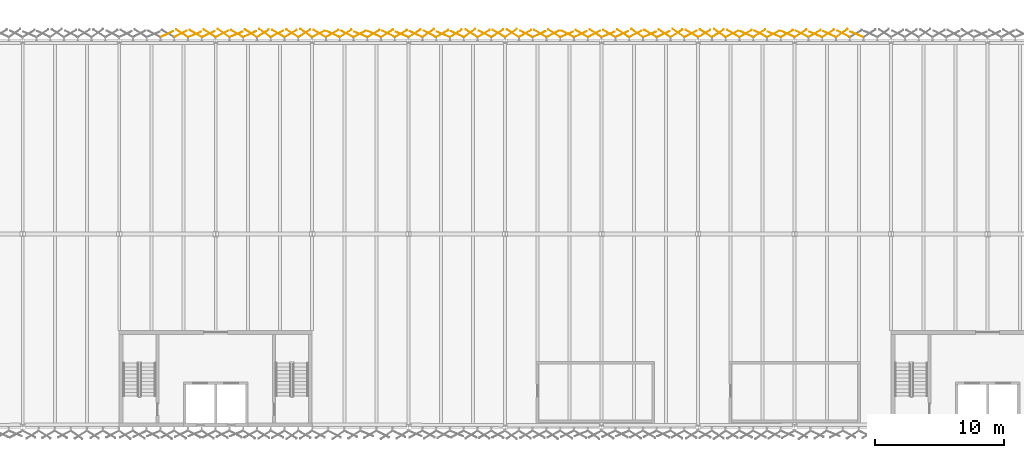
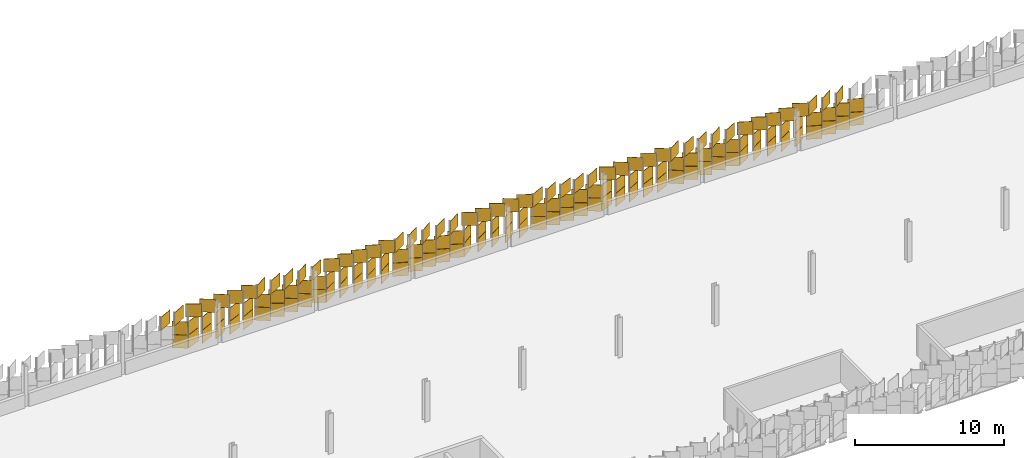
# One storey, part 196 of 198: 150 coverings.
"""IFC4 building model written with IfcOpenShell, lengths in metres."""

from ifc_helpers import new_model, si_unit, direction, frame, origin, origin_2d, place, context, subcontext, project, spatial, rectangle, extrude, material, layer, layer_set, type_object, element, save


model = new_model("IFC4")

# Units and contexts
model_context = context("Model", 3, precision=1e-05, world=origin(), true_north=direction((0.0, 1.0)))
body_context = subcontext(model_context, "Body", "Model", "MODEL_VIEW")
ifc_project = project(units=[si_unit("LENGTHUNIT", "METRE"), si_unit("AREAUNIT", "SQUARE_METRE"), si_unit("VOLUMEUNIT", "CUBIC_METRE"), si_unit("PLANEANGLEUNIT", "RADIAN"), si_unit("MASSUNIT", "GRAM", prefix="KILO")], contexts=[model_context])

# Site, building, storey
site_placement = place(None, origin())
site = spatial("IfcSite", under=ifc_project, at=site_placement, CompositionType="ELEMENT")
building_placement = place(site_placement, origin())
building = spatial("IfcBuilding", under=site, at=building_placement, Name="Parallax Yard Mobility Hub", CompositionType="ELEMENT")
storey_placement = place(building_placement, frame((0.0, 0.0, 6.60009765625)))
storey = spatial("IfcBuildingStorey", under=building, at=storey_placement, Name="L02", CompositionType="ELEMENT", Elevation=6.60009765625)

# Coverings
ifc_material_1 = material(Name="Aluminium panel, champagne finish", Category="aluminium")
ifc_layer_1 = layer(ifc_material_1, 0.030029296875)
ifc_layer_set_1 = layer_set([ifc_layer_1], Name="Skin panel 22.5 degree turn, champagne finish")
covering_type_1 = type_object("IfcCoveringType", Name="Skin panel 22.5 degree turn, champagne finish", PredefinedType="CLADDING", material=ifc_layer_set_1)
for number, where, z_axis, x_axis, name in (
    (1, (124.83935546875, 143.012939453125, 1.119873046875), (0.0, 0.0, 1.0), (-0.923879532511, 0.382683432365, 0.0), "Skin panel 22.5 bay 57.3 row 2 level L02"),
    (2, (121.624755859375, 143.012939453125, 1.119873046875), (0.0, 0.0, 1.0), (-0.923879532511, 0.382683432365, 0.0), "Skin panel 22.5 bay 57.6 row 2 level L02"),
    (3, (118.41015625, 143.012939453125, 2.219970703125), (0.0, 0.0, 1.0), (-0.923879532511, 0.382683432365, 0.0), "Skin panel 22.5 bay 58.2 row 3 level L02"),
    (4, (108.722412109375, 143.012939453125, 1.119873046875), (0.0, 0.0, 1.0), (0.923879532511, 0.382683432365, 0.0), "Skin panel 22.5 bay 59.4 row 2 level L02"),
    (5, (105.5078125, 143.012939453125, 1.119873046875), (0.0, 0.0, 1.0), (0.923879532511, 0.382683432365, 0.0), "Skin panel 22.5 bay 59.7 row 2 level L02"),
    (6, (102.293212890625, 143.012939453125, 2.219970703125), (0.0, 0.0, 1.0), (0.923879532511, 0.382683432365, 0.0), "Skin panel 22.5 bay 60.3 row 3 level L02"),
    (7, (92.69287109375, 143.012939453125, 1.119873046875), (0.0, 0.0, 1.0), (-0.923879532511, 0.382683432365, 0.0), "Skin panel 22.5 bay 61.5 row 2 level L02"),
    (8, (89.47802734375, 143.012939453125, 1.119873046875), (0.0, 0.0, 1.0), (-0.923879532511, 0.382683432365, 0.0), "Skin panel 22.5 bay 62.1 row 2 level L02"),
    (9, (86.263427734375, 143.012939453125, 2.219970703125), (0.0, 0.0, 1.0), (-0.923879532511, 0.382683432365, 0.0), "Skin panel 22.5 bay 62.4 row 3 level L02"),
    (10, (76.575927734375, 143.012939453125, 1.119873046875), (0.0, 0.0, 1.0), (0.923879532511, 0.382683432365, 0.0), "Skin panel 22.5 bay 63.6 row 2 level L02"),
    (11, (73.361083984375, 143.012939453125, 1.119873046875), (0.0, 0.0, 1.0), (0.923879532511, 0.382683432365, 0.0), "Skin panel 22.5 bay 64.2 row 2 level L02"),
):
    element("IfcCovering", number, at=place(storey_placement, frame(where, z_axis=z_axis, x_axis=x_axis)), inside=storey, type_object=covering_type_1, Name=name, ObjectType="SCREEN", PredefinedType="CLADDING", context=body_context, shape_type="SweptSolid", body=[
        extrude(rectangle(XDim=1.080078125, YDim=0.030029296875, at=origin_2d()), origin(), (0.0, 0.0, 1.0), 1.080078125),
    ])
ifc_material_2 = material(Name="Aluminium panel, light oak finish", Category="aluminium")
ifc_layer_2 = layer(ifc_material_2, 0.030029296875)
ifc_layer_set_2 = layer_set([ifc_layer_2], Name="Skin panel 22.5 degree turn, oak finish")
covering_type_2 = type_object("IfcCoveringType", Name="Skin panel 22.5 degree turn, oak finish", PredefinedType="CLADDING", material=ifc_layer_set_2)
for number, where, z_axis, x_axis, name in (
    (12, (124.83935546875, 143.012939453125, 0.019775390625), (0.0, 0.0, 1.0), (-0.923879532511, 0.382683432365, 0.0), "Skin panel 22.5 bay 57.3 row 1 level L02"),
    (13, (121.624755859375, 143.012939453125, 0.019775390625), (0.0, 0.0, 1.0), (-0.923879532511, 0.382683432365, 0.0), "Skin panel 22.5 bay 57.6 row 1 level L02"),
    (14, (108.722412109375, 143.012939453125, 0.019775390625), (0.0, 0.0, 1.0), (0.923879532511, 0.382683432365, 0.0), "Skin panel 22.5 bay 59.4 row 1 level L02"),
    (15, (105.5078125, 143.012939453125, 0.019775390625), (0.0, 0.0, 1.0), (0.923879532511, 0.382683432365, 0.0), "Skin panel 22.5 bay 59.7 row 1 level L02"),
    (16, (92.69287109375, 143.012939453125, 0.019775390625), (0.0, 0.0, 1.0), (-0.923879532511, 0.382683432365, 0.0), "Skin panel 22.5 bay 61.5 row 1 level L02"),
    (17, (89.47802734375, 143.012939453125, 0.019775390625), (0.0, 0.0, 1.0), (-0.923879532511, 0.382683432365, 0.0), "Skin panel 22.5 bay 62.1 row 1 level L02"),
    (18, (76.575927734375, 143.012939453125, 0.019775390625), (0.0, 0.0, 1.0), (0.923879532511, 0.382683432365, 0.0), "Skin panel 22.5 bay 63.6 row 1 level L02"),
    (19, (73.361083984375, 143.012939453125, 0.019775390625), (0.0, 0.0, 1.0), (0.923879532511, 0.382683432365, 0.0), "Skin panel 22.5 bay 64.2 row 1 level L02"),
):
    element("IfcCovering", number, at=place(storey_placement, frame(where, z_axis=z_axis, x_axis=x_axis)), inside=storey, type_object=covering_type_2, Name=name, ObjectType="SCREEN", PredefinedType="CLADDING", context=body_context, shape_type="SweptSolid", body=[
        extrude(rectangle(XDim=1.080078125, YDim=0.030029296875, at=origin_2d()), origin(), (0.0, 0.0, 1.0), 1.080078125),
    ])
ifc_layer_3 = layer(ifc_material_1, 0.030029296875)
ifc_layer_set_3 = layer_set([ifc_layer_3], Name="Skin panel 25 degree turn, champagne finish")
covering_type_3 = type_object("IfcCoveringType", Name="Skin panel 25 degree turn, champagne finish", PredefinedType="CLADDING", material=ifc_layer_set_3)
for number, where, z_axis, x_axis, name in (
    (20, (122.7060546875, 143.03515625, 1.119873046875), (0.0, 0.0, 1.0), (-0.906307787037, 0.422618261741, 0.0), "Skin panel 25 bay 57.5 row 2 level L02"),
    (21, (119.491455078125, 143.03515625, 2.219970703125), (0.0, 0.0, 1.0), (-0.906307787037, 0.422618261741, 0.0), "Skin panel 25 bay 58.1 row 3 level L02"),
    (22, (116.27685546875, 143.03515625, 2.219970703125), (0.0, 0.0, 1.0), (-0.906307787037, 0.422618261741, 0.0), "Skin panel 25 bay 58.4 row 3 level L02"),
    (23, (109.7841796875, 143.03515625, 1.119873046875), (0.0, 0.0, 1.0), (0.906307787037, 0.422618261741, 0.0), "Skin panel 25 bay 59.3 row 2 level L02"),
    (24, (106.569580078125, 143.03515625, 1.119873046875), (0.0, 0.0, 1.0), (0.906307787037, 0.422618261741, 0.0), "Skin panel 25 bay 59.6 row 2 level L02"),
    (25, (103.35498046875, 143.03515625, 2.219970703125), (0.0, 0.0, 1.0), (0.906307787037, 0.422618261741, 0.0), "Skin panel 25 bay 60.2 row 3 level L02"),
    (26, (100.140380859375, 143.03515625, 2.219970703125), (0.0, 0.0, 1.0), (0.906307787037, 0.422618261741, 0.0), "Skin panel 25 bay 60.5 row 3 level L02"),
    (27, (93.774169921875, 143.03515625, 1.119873046875), (0.0, 0.0, 1.0), (-0.906307787037, 0.422618261741, 0.0), "Skin panel 25 bay 61.4 row 2 level L02"),
    (28, (90.559326171875, 143.03515625, 1.119873046875), (0.0, 0.0, 1.0), (-0.906307787037, 0.422618261741, 0.0), "Skin panel 25 bay 61.7 row 2 level L02"),
    (29, (87.3447265625, 143.03515625, 2.219970703125), (0.0, 0.0, 1.0), (-0.906307787037, 0.422618261741, 0.0), "Skin panel 25 bay 62.3 row 3 level L02"),
    (30, (84.130126953125, 143.03515625, 2.219970703125), (0.0, 0.0, 1.0), (-0.906307787037, 0.422618261741, 0.0), "Skin panel 25 bay 62.6 row 3 level L02"),
    (31, (77.6376953125, 143.03515625, 1.119873046875), (0.0, 0.0, 1.0), (0.906307787037, 0.422618261741, 0.0), "Skin panel 25 bay 63.5 row 2 level L02"),
    (32, (74.423095703125, 143.03515625, 1.119873046875), (0.0, 0.0, 1.0), (0.906307787037, 0.422618261741, 0.0), "Skin panel 25 bay 64.1 row 2 level L02"),
    (33, (71.208251953125, 143.03515625, 2.219970703125), (0.0, 0.0, 1.0), (0.906307787037, 0.422618261741, 0.0), "Skin panel 25 bay 64.4 row 3 level L02"),
):
    element("IfcCovering", number, at=place(storey_placement, frame(where, z_axis=z_axis, x_axis=x_axis)), inside=storey, type_object=covering_type_3, Name=name, ObjectType="SCREEN", PredefinedType="CLADDING", context=body_context, shape_type="SweptSolid", body=[
        extrude(rectangle(XDim=1.080078125, YDim=0.030029296875, at=origin_2d()), origin(), (0.0, 0.0, 1.0), 1.080078125),
    ])
ifc_layer_4 = layer(ifc_material_2, 0.030029296875)
ifc_layer_set_4 = layer_set([ifc_layer_4], Name="Skin panel 25 degree turn, oak finish")
covering_type_4 = type_object("IfcCoveringType", Name="Skin panel 25 degree turn, oak finish", PredefinedType="CLADDING", material=ifc_layer_set_4)
for number, where, z_axis, x_axis, name in (
    (34, (122.7060546875, 143.03515625, 0.019775390625), (0.0, 0.0, 1.0), (-0.906307787037, 0.422618261741, 0.0), "Skin panel 25 bay 57.5 row 1 level L02"),
    (35, (109.7841796875, 143.03515625, 0.019775390625), (0.0, 0.0, 1.0), (0.906307787037, 0.422618261741, 0.0), "Skin panel 25 bay 59.3 row 1 level L02"),
    (36, (106.569580078125, 143.03515625, 0.019775390625), (0.0, 0.0, 1.0), (0.906307787037, 0.422618261741, 0.0), "Skin panel 25 bay 59.6 row 1 level L02"),
    (37, (93.774169921875, 143.03515625, 0.019775390625), (0.0, 0.0, 1.0), (-0.906307787037, 0.422618261741, 0.0), "Skin panel 25 bay 61.4 row 1 level L02"),
    (38, (90.559326171875, 143.03515625, 0.019775390625), (0.0, 0.0, 1.0), (-0.906307787037, 0.422618261741, 0.0), "Skin panel 25 bay 61.7 row 1 level L02"),
    (39, (77.6376953125, 143.03515625, 0.019775390625), (0.0, 0.0, 1.0), (0.906307787037, 0.422618261741, 0.0), "Skin panel 25 bay 63.5 row 1 level L02"),
    (40, (74.423095703125, 143.03515625, 0.019775390625), (0.0, 0.0, 1.0), (0.906307787037, 0.422618261741, 0.0), "Skin panel 25 bay 64.1 row 1 level L02"),
):
    element("IfcCovering", number, at=place(storey_placement, frame(where, z_axis=z_axis, x_axis=x_axis)), inside=storey, type_object=covering_type_4, Name=name, ObjectType="SCREEN", PredefinedType="CLADDING", context=body_context, shape_type="SweptSolid", body=[
        extrude(rectangle(XDim=1.080078125, YDim=0.030029296875, at=origin_2d()), origin(), (0.0, 0.0, 1.0), 1.080078125),
    ])
ifc_layer_5 = layer(ifc_material_1, 0.030029296875)
ifc_layer_set_5 = layer_set([ifc_layer_5], Name="Skin panel 27.5 degree turn, champagne finish")
covering_type_5 = type_object("IfcCoveringType", Name="Skin panel 27.5 degree turn, champagne finish", PredefinedType="CLADDING", material=ifc_layer_set_5)
for number, where, z_axis, x_axis, name in (
    (41, (123.788330078125, 143.056884765625, 1.119873046875), (0.0, 0.0, 1.0), (-0.887010833178, 0.461748613235, 0.0), "Skin panel 27.5 bay 57.4 row 2 level L02"),
    (42, (120.57373046875, 143.056884765625, 2.219970703125), (0.0, 0.0, 1.0), (-0.887010833178, 0.461748613235, 0.0), "Skin panel 27.5 bay 57.7 row 3 level L02"),
    (43, (118.345947265625, 143.056884765625, 1.119873046875), (0.0, 0.0, 1.0), (0.887010833178, 0.461748613235, 0.0), "Skin panel 27.5 bay 58.2 row 2 level L02"),
    (44, (117.359130859375, 143.056884765625, 2.219970703125), (0.0, 0.0, 1.0), (-0.887010833178, 0.461748613235, 0.0), "Skin panel 27.5 bay 58.3 row 3 level L02"),
    (45, (115.13134765625, 143.056884765625, 2.219970703125), (0.0, 0.0, 1.0), (0.887010833178, 0.461748613235, 0.0), "Skin panel 27.5 bay 58.5 row 3 level L02"),
    (46, (111.916748046875, 143.056884765625, 2.219970703125), (0.0, 0.0, 1.0), (0.887010833178, 0.461748613235, 0.0), "Skin panel 27.5 bay 59.1 row 3 level L02"),
    (47, (107.630615234375, 143.056884765625, 1.119873046875), (0.0, 0.0, 1.0), (0.887010833178, 0.461748613235, 0.0), "Skin panel 27.5 bay 59.5 row 2 level L02"),
    (48, (104.415771484375, 143.056884765625, 2.219970703125), (0.0, 0.0, 1.0), (0.887010833178, 0.461748613235, 0.0), "Skin panel 27.5 bay 60.1 row 3 level L02"),
    (49, (102.357421875, 143.056884765625, 1.119873046875), (0.0, 0.0, 1.0), (-0.887010833178, 0.461748613235, 0.0), "Skin panel 27.5 bay 60.3 row 2 level L02"),
    (50, (101.201171875, 143.056884765625, 2.219970703125), (0.0, 0.0, 1.0), (0.887010833178, 0.461748613235, 0.0), "Skin panel 27.5 bay 60.4 row 3 level L02"),
    (51, (99.142578125, 143.056884765625, 2.219970703125), (0.0, 0.0, 1.0), (-0.887010833178, 0.461748613235, 0.0), "Skin panel 27.5 bay 60.6 row 3 level L02"),
    (52, (95.927978515625, 143.056884765625, 2.219970703125), (0.0, 0.0, 1.0), (-0.887010833178, 0.461748613235, 0.0), "Skin panel 27.5 bay 61.2 row 3 level L02"),
    (53, (91.6416015625, 143.056884765625, 1.119873046875), (0.0, 0.0, 1.0), (-0.887010833178, 0.461748613235, 0.0), "Skin panel 27.5 bay 61.6 row 2 level L02"),
    (54, (88.427001953125, 143.056884765625, 2.219970703125), (0.0, 0.0, 1.0), (-0.887010833178, 0.461748613235, 0.0), "Skin panel 27.5 bay 62.2 row 3 level L02"),
    (55, (86.199462890625, 143.056884765625, 1.119873046875), (0.0, 0.0, 1.0), (0.887010833178, 0.461748613235, 0.0), "Skin panel 27.5 bay 62.4 row 2 level L02"),
    (56, (85.21240234375, 143.056884765625, 2.219970703125), (0.0, 0.0, 1.0), (-0.887010833178, 0.461748613235, 0.0), "Skin panel 27.5 bay 62.5 row 3 level L02"),
    (57, (82.984619140625, 143.056884765625, 2.219970703125), (0.0, 0.0, 1.0), (0.887010833178, 0.461748613235, 0.0), "Skin panel 27.5 bay 62.7 row 3 level L02"),
    (58, (79.77001953125, 143.056884765625, 2.219970703125), (0.0, 0.0, 1.0), (0.887010833178, 0.461748613235, 0.0), "Skin panel 27.5 bay 63.3 row 3 level L02"),
    (59, (75.48388671875, 143.056884765625, 1.119873046875), (0.0, 0.0, 1.0), (0.887010833178, 0.461748613235, 0.0), "Skin panel 27.5 bay 63.7 row 2 level L02"),
    (60, (72.26904296875, 143.056884765625, 2.219970703125), (0.0, 0.0, 1.0), (0.887010833178, 0.461748613235, 0.0), "Skin panel 27.5 bay 64.3 row 3 level L02"),
):
    element("IfcCovering", number, at=place(storey_placement, frame(where, z_axis=z_axis, x_axis=x_axis)), inside=storey, type_object=covering_type_5, Name=name, ObjectType="SCREEN", PredefinedType="CLADDING", context=body_context, shape_type="SweptSolid", body=[
        extrude(rectangle(XDim=1.080078125, YDim=0.030029296875, at=origin_2d()), origin(), (0.0, 0.0, 1.0), 1.080078125),
    ])
ifc_layer_6 = layer(ifc_material_2, 0.030029296875)
ifc_layer_set_6 = layer_set([ifc_layer_6], Name="Skin panel 27.5 degree turn, oak finish")
covering_type_6 = type_object("IfcCoveringType", Name="Skin panel 27.5 degree turn, oak finish", PredefinedType="CLADDING", material=ifc_layer_set_6)
for number, where, z_axis, x_axis, name in (
    (61, (123.788330078125, 143.056884765625, 0.019775390625), (0.0, 0.0, 1.0), (-0.887010833178, 0.461748613235, 0.0), "Skin panel 27.5 bay 57.4 row 1 level L02"),
    (62, (118.345947265625, 143.056884765625, 0.019775390625), (0.0, 0.0, 1.0), (0.887010833178, 0.461748613235, 0.0), "Skin panel 27.5 bay 58.2 row 1 level L02"),
    (63, (107.630615234375, 143.056884765625, 0.019775390625), (0.0, 0.0, 1.0), (0.887010833178, 0.461748613235, 0.0), "Skin panel 27.5 bay 59.5 row 1 level L02"),
    (64, (102.357421875, 143.056884765625, 0.019775390625), (0.0, 0.0, 1.0), (-0.887010833178, 0.461748613235, 0.0), "Skin panel 27.5 bay 60.3 row 1 level L02"),
    (65, (91.6416015625, 143.056884765625, 0.019775390625), (0.0, 0.0, 1.0), (-0.887010833178, 0.461748613235, 0.0), "Skin panel 27.5 bay 61.6 row 1 level L02"),
    (66, (86.199462890625, 143.056884765625, 0.019775390625), (0.0, 0.0, 1.0), (0.887010833178, 0.461748613235, 0.0), "Skin panel 27.5 bay 62.4 row 1 level L02"),
    (67, (75.48388671875, 143.056884765625, 0.019775390625), (0.0, 0.0, 1.0), (0.887010833178, 0.461748613235, 0.0), "Skin panel 27.5 bay 63.7 row 1 level L02"),
):
    element("IfcCovering", number, at=place(storey_placement, frame(where, z_axis=z_axis, x_axis=x_axis)), inside=storey, type_object=covering_type_6, Name=name, ObjectType="SCREEN", PredefinedType="CLADDING", context=body_context, shape_type="SweptSolid", body=[
        extrude(rectangle(XDim=1.080078125, YDim=0.030029296875, at=origin_2d()), origin(), (0.0, 0.0, 1.0), 1.080078125),
    ])
ifc_layer_7 = layer(ifc_material_1, 0.030029296875)
ifc_layer_set_7 = layer_set([ifc_layer_7], Name="Skin panel 30 degree turn, champagne finish")
covering_type_7 = type_object("IfcCoveringType", Name="Skin panel 30 degree turn, champagne finish", PredefinedType="CLADDING", material=ifc_layer_set_7)
for number, where, z_axis, x_axis, name in (
    (68, (121.549072265625, 143.078125, 2.219970703125), (0.0, 0.0, 1.0), (0.866025403784, 0.5, 0.0), "Skin panel 30 bay 57.6 row 3 level L02"),
    (69, (119.406005859375, 143.078125, 1.119873046875), (0.0, 0.0, 1.0), (0.866025403784, 0.5, 0.0), "Skin panel 30 bay 58.1 row 2 level L02"),
    (70, (116.191162109375, 143.078125, 1.119873046875), (0.0, 0.0, 1.0), (0.866025403784, 0.5, 0.0), "Skin panel 30 bay 58.4 row 2 level L02"),
    (71, (115.2275390625, 143.078125, 1.119873046875), (0.0, 0.0, 1.0), (-0.866025403784, 0.5, 0.0), "Skin panel 30 bay 58.5 row 2 level L02"),
    (72, (112.9765625, 143.078125, 2.219970703125), (0.0, 0.0, 1.0), (0.866025403784, 0.5, 0.0), "Skin panel 30 bay 58.7 row 3 level L02"),
    (73, (112.012939453125, 143.078125, 1.119873046875), (0.0, 0.0, 1.0), (-0.866025403784, 0.5, 0.0), "Skin panel 30 bay 59.1 row 2 level L02"),
    (74, (108.79833984375, 143.078125, 2.219970703125), (0.0, 0.0, 1.0), (-0.866025403784, 0.5, 0.0), "Skin panel 30 bay 59.4 row 3 level L02"),
    (75, (105.58349609375, 143.078125, 2.219970703125), (0.0, 0.0, 1.0), (-0.866025403784, 0.5, 0.0), "Skin panel 30 bay 59.7 row 3 level L02"),
    (76, (103.4404296875, 143.078125, 1.119873046875), (0.0, 0.0, 1.0), (-0.866025403784, 0.5, 0.0), "Skin panel 30 bay 60.2 row 2 level L02"),
    (77, (100.225830078125, 143.078125, 1.119873046875), (0.0, 0.0, 1.0), (-0.866025403784, 0.5, 0.0), "Skin panel 30 bay 60.5 row 2 level L02"),
    (78, (99.04638671875, 143.078125, 1.119873046875), (0.0, 0.0, 1.0), (0.866025403784, 0.5, 0.0), "Skin panel 30 bay 60.6 row 2 level L02"),
    (79, (97.01123046875, 143.078125, 2.219970703125), (0.0, 0.0, 1.0), (-0.866025403784, 0.5, 0.0), "Skin panel 30 bay 61.1 row 3 level L02"),
    (80, (95.831787109375, 143.078125, 1.119873046875), (0.0, 0.0, 1.0), (0.866025403784, 0.5, 0.0), "Skin panel 30 bay 61.2 row 2 level L02"),
    (81, (92.616943359375, 143.078125, 2.219970703125), (0.0, 0.0, 1.0), (0.866025403784, 0.5, 0.0), "Skin panel 30 bay 61.5 row 3 level L02"),
    (82, (89.40234375, 143.078125, 2.219970703125), (0.0, 0.0, 1.0), (0.866025403784, 0.5, 0.0), "Skin panel 30 bay 62.1 row 3 level L02"),
    (83, (87.25927734375, 143.078125, 1.119873046875), (0.0, 0.0, 1.0), (0.866025403784, 0.5, 0.0), "Skin panel 30 bay 62.3 row 2 level L02"),
    (84, (84.044677734375, 143.078125, 1.119873046875), (0.0, 0.0, 1.0), (0.866025403784, 0.5, 0.0), "Skin panel 30 bay 62.6 row 2 level L02"),
    (85, (83.0810546875, 143.078125, 1.119873046875), (0.0, 0.0, 1.0), (-0.866025403784, 0.5, 0.0), "Skin panel 30 bay 62.7 row 2 level L02"),
    (86, (80.829833984375, 143.078125, 2.219970703125), (0.0, 0.0, 1.0), (0.866025403784, 0.5, 0.0), "Skin panel 30 bay 63.2 row 3 level L02"),
    (87, (79.8662109375, 143.078125, 1.119873046875), (0.0, 0.0, 1.0), (-0.866025403784, 0.5, 0.0), "Skin panel 30 bay 63.3 row 2 level L02"),
    (88, (76.651611328125, 143.078125, 2.219970703125), (0.0, 0.0, 1.0), (-0.866025403784, 0.5, 0.0), "Skin panel 30 bay 63.6 row 3 level L02"),
    (89, (73.43701171875, 143.078125, 2.219970703125), (0.0, 0.0, 1.0), (-0.866025403784, 0.5, 0.0), "Skin panel 30 bay 64.2 row 3 level L02"),
):
    element("IfcCovering", number, at=place(storey_placement, frame(where, z_axis=z_axis, x_axis=x_axis)), inside=storey, type_object=covering_type_7, Name=name, ObjectType="SCREEN", PredefinedType="CLADDING", context=body_context, shape_type="SweptSolid", body=[
        extrude(rectangle(XDim=1.080078125, YDim=0.030029296875, at=origin_2d()), origin(), (0.0, 0.0, 1.0), 1.080078125),
    ])
ifc_layer_8 = layer(ifc_material_2, 0.030029296875)
ifc_layer_set_8 = layer_set([ifc_layer_8], Name="Skin panel 30 degree turn, oak finish")
covering_type_8 = type_object("IfcCoveringType", Name="Skin panel 30 degree turn, oak finish", PredefinedType="CLADDING", material=ifc_layer_set_8)
for number, where, z_axis, x_axis, name in (
    (90, (119.406005859375, 143.078125, 0.019775390625), (0.0, 0.0, 1.0), (0.866025403784, 0.5, 0.0), "Skin panel 30 bay 58.1 row 1 level L02"),
    (91, (116.191162109375, 143.078125, 0.019775390625), (0.0, 0.0, 1.0), (0.866025403784, 0.5, 0.0), "Skin panel 30 bay 58.4 row 1 level L02"),
    (92, (115.2275390625, 143.078125, 0.019775390625), (0.0, 0.0, 1.0), (-0.866025403784, 0.5, 0.0), "Skin panel 30 bay 58.5 row 1 level L02"),
    (93, (112.012939453125, 143.078125, 0.019775390625), (0.0, 0.0, 1.0), (-0.866025403784, 0.5, 0.0), "Skin panel 30 bay 59.1 row 1 level L02"),
    (94, (103.4404296875, 143.078125, 0.019775390625), (0.0, 0.0, 1.0), (-0.866025403784, 0.5, 0.0), "Skin panel 30 bay 60.2 row 1 level L02"),
    (95, (100.225830078125, 143.078125, 0.019775390625), (0.0, 0.0, 1.0), (-0.866025403784, 0.5, 0.0), "Skin panel 30 bay 60.5 row 1 level L02"),
    (96, (99.04638671875, 143.078125, 0.019775390625), (0.0, 0.0, 1.0), (0.866025403784, 0.5, 0.0), "Skin panel 30 bay 60.6 row 1 level L02"),
    (97, (95.831787109375, 143.078125, 0.019775390625), (0.0, 0.0, 1.0), (0.866025403784, 0.5, 0.0), "Skin panel 30 bay 61.2 row 1 level L02"),
    (98, (87.25927734375, 143.078125, 0.019775390625), (0.0, 0.0, 1.0), (0.866025403784, 0.5, 0.0), "Skin panel 30 bay 62.3 row 1 level L02"),
    (99, (84.044677734375, 143.078125, 0.019775390625), (0.0, 0.0, 1.0), (0.866025403784, 0.5, 0.0), "Skin panel 30 bay 62.6 row 1 level L02"),
    (100, (83.0810546875, 143.078125, 0.019775390625), (0.0, 0.0, 1.0), (-0.866025403784, 0.5, 0.0), "Skin panel 30 bay 62.7 row 1 level L02"),
    (101, (79.8662109375, 143.078125, 0.019775390625), (0.0, 0.0, 1.0), (-0.866025403784, 0.5, 0.0), "Skin panel 30 bay 63.3 row 1 level L02"),
):
    element("IfcCovering", number, at=place(storey_placement, frame(where, z_axis=z_axis, x_axis=x_axis)), inside=storey, type_object=covering_type_8, Name=name, ObjectType="SCREEN", PredefinedType="CLADDING", context=body_context, shape_type="SweptSolid", body=[
        extrude(rectangle(XDim=1.080078125, YDim=0.030029296875, at=origin_2d()), origin(), (0.0, 0.0, 1.0), 1.080078125),
    ])
ifc_layer_9 = layer(ifc_material_1, 0.030029296875)
ifc_layer_set_9 = layer_set([ifc_layer_9], Name="Skin panel 32.5 degree turn, champagne finish")
covering_type_9 = type_object("IfcCoveringType", Name="Skin panel 32.5 degree turn, champagne finish", PredefinedType="CLADDING", material=ifc_layer_set_9)
for number, where, z_axis, x_axis, name in (
    (102, (122.60791015625, 143.098876953125, 2.219970703125), (0.0, 0.0, 1.0), (0.843391445813, 0.537299608347, 0.0), "Skin panel 32.5 bay 57.5 row 3 level L02"),
    (103, (120.46484375, 143.098876953125, 1.119873046875), (0.0, 0.0, 1.0), (0.843391445813, 0.537299608347, 0.0), "Skin panel 32.5 bay 57.7 row 2 level L02"),
    (104, (117.250244140625, 143.098876953125, 1.119873046875), (0.0, 0.0, 1.0), (0.843391445813, 0.537299608347, 0.0), "Skin panel 32.5 bay 58.3 row 2 level L02"),
    (105, (114.035400390625, 143.098876953125, 2.219970703125), (0.0, 0.0, 1.0), (0.843391445813, 0.537299608347, 0.0), "Skin panel 32.5 bay 58.6 row 3 level L02"),
    (106, (113.09716796875, 143.098876953125, 1.119873046875), (0.0, 0.0, 1.0), (-0.843391445813, 0.537299608347, 0.0), "Skin panel 32.5 bay 58.7 row 2 level L02"),
    (107, (110.82080078125, 143.098876953125, 2.219970703125), (0.0, 0.0, 1.0), (0.843391445813, 0.537299608347, 0.0), "Skin panel 32.5 bay 59.2 row 3 level L02"),
    (108, (109.88232421875, 143.098876953125, 2.219970703125), (0.0, 0.0, 1.0), (-0.843391445813, 0.537299608347, 0.0), "Skin panel 32.5 bay 59.3 row 3 level L02"),
    (109, (106.667724609375, 143.098876953125, 2.219970703125), (0.0, 0.0, 1.0), (-0.843391445813, 0.537299608347, 0.0), "Skin panel 32.5 bay 59.6 row 3 level L02"),
    (110, (104.524658203125, 143.098876953125, 1.119873046875), (0.0, 0.0, 1.0), (-0.843391445813, 0.537299608347, 0.0), "Skin panel 32.5 bay 60.1 row 2 level L02"),
    (111, (101.31005859375, 143.098876953125, 1.119873046875), (0.0, 0.0, 1.0), (-0.843391445813, 0.537299608347, 0.0), "Skin panel 32.5 bay 60.4 row 2 level L02"),
    (112, (98.09521484375, 143.098876953125, 2.219970703125), (0.0, 0.0, 1.0), (-0.843391445813, 0.537299608347, 0.0), "Skin panel 32.5 bay 60.7 row 3 level L02"),
    (113, (96.890625, 143.098876953125, 1.119873046875), (0.0, 0.0, 1.0), (0.843391445813, 0.537299608347, 0.0), "Skin panel 32.5 bay 61.1 row 2 level L02"),
    (114, (94.880615234375, 143.098876953125, 2.219970703125), (0.0, 0.0, 1.0), (-0.843391445813, 0.537299608347, 0.0), "Skin panel 32.5 bay 61.3 row 3 level L02"),
    (115, (93.676025390625, 143.098876953125, 2.219970703125), (0.0, 0.0, 1.0), (0.843391445813, 0.537299608347, 0.0), "Skin panel 32.5 bay 61.4 row 3 level L02"),
    (116, (90.461181640625, 143.098876953125, 2.219970703125), (0.0, 0.0, 1.0), (0.843391445813, 0.537299608347, 0.0), "Skin panel 32.5 bay 61.7 row 3 level L02"),
    (117, (88.318115234375, 143.098876953125, 1.119873046875), (0.0, 0.0, 1.0), (0.843391445813, 0.537299608347, 0.0), "Skin panel 32.5 bay 62.2 row 2 level L02"),
    (118, (85.103515625, 143.098876953125, 1.119873046875), (0.0, 0.0, 1.0), (0.843391445813, 0.537299608347, 0.0), "Skin panel 32.5 bay 62.5 row 2 level L02"),
    (119, (81.888916015625, 143.098876953125, 2.219970703125), (0.0, 0.0, 1.0), (0.843391445813, 0.537299608347, 0.0), "Skin panel 32.5 bay 63.1 row 3 level L02"),
    (120, (80.950439453125, 143.098876953125, 1.119873046875), (0.0, 0.0, 1.0), (-0.843391445813, 0.537299608347, 0.0), "Skin panel 32.5 bay 63.2 row 2 level L02"),
    (121, (78.67431640625, 143.098876953125, 2.219970703125), (0.0, 0.0, 1.0), (0.843391445813, 0.537299608347, 0.0), "Skin panel 32.5 bay 63.4 row 3 level L02"),
    (122, (77.73583984375, 143.098876953125, 2.219970703125), (0.0, 0.0, 1.0), (-0.843391445813, 0.537299608347, 0.0), "Skin panel 32.5 bay 63.5 row 3 level L02"),
    (123, (74.52099609375, 143.098876953125, 2.219970703125), (0.0, 0.0, 1.0), (-0.843391445813, 0.537299608347, 0.0), "Skin panel 32.5 bay 64.1 row 3 level L02"),
    (124, (72.3779296875, 143.098876953125, 1.119873046875), (0.0, 0.0, 1.0), (-0.843391445813, 0.537299608347, 0.0), "Skin panel 32.5 bay 64.3 row 2 level L02"),
):
    element("IfcCovering", number, at=place(storey_placement, frame(where, z_axis=z_axis, x_axis=x_axis)), inside=storey, type_object=covering_type_9, Name=name, ObjectType="SCREEN", PredefinedType="CLADDING", context=body_context, shape_type="SweptSolid", body=[
        extrude(rectangle(XDim=1.080078125, YDim=0.030029296875, at=origin_2d()), origin(), (0.0, 0.0, 1.0), 1.080078125),
    ])
ifc_layer_10 = layer(ifc_material_2, 0.030029296875)
ifc_layer_set_10 = layer_set([ifc_layer_10], Name="Skin panel 32.5 degree turn, oak finish")
covering_type_10 = type_object("IfcCoveringType", Name="Skin panel 32.5 degree turn, oak finish", PredefinedType="CLADDING", material=ifc_layer_set_10)
for number, where, z_axis, x_axis, name in (
    (125, (120.46484375, 143.098876953125, 0.019775390625), (0.0, 0.0, 1.0), (0.843391445813, 0.537299608347, 0.0), "Skin panel 32.5 bay 57.7 row 1 level L02"),
    (126, (117.250244140625, 143.098876953125, 0.019775390625), (0.0, 0.0, 1.0), (0.843391445813, 0.537299608347, 0.0), "Skin panel 32.5 bay 58.3 row 1 level L02"),
    (127, (113.09716796875, 143.098876953125, 0.019775390625), (0.0, 0.0, 1.0), (-0.843391445813, 0.537299608347, 0.0), "Skin panel 32.5 bay 58.7 row 1 level L02"),
    (128, (104.524658203125, 143.098876953125, 0.019775390625), (0.0, 0.0, 1.0), (-0.843391445813, 0.537299608347, 0.0), "Skin panel 32.5 bay 60.1 row 1 level L02"),
    (129, (101.31005859375, 143.098876953125, 0.019775390625), (0.0, 0.0, 1.0), (-0.843391445813, 0.537299608347, 0.0), "Skin panel 32.5 bay 60.4 row 1 level L02"),
    (130, (96.890625, 143.098876953125, 0.019775390625), (0.0, 0.0, 1.0), (0.843391445813, 0.537299608347, 0.0), "Skin panel 32.5 bay 61.1 row 1 level L02"),
    (131, (88.318115234375, 143.098876953125, 0.019775390625), (0.0, 0.0, 1.0), (0.843391445813, 0.537299608347, 0.0), "Skin panel 32.5 bay 62.2 row 1 level L02"),
    (132, (85.103515625, 143.098876953125, 0.019775390625), (0.0, 0.0, 1.0), (0.843391445813, 0.537299608347, 0.0), "Skin panel 32.5 bay 62.5 row 1 level L02"),
    (133, (80.950439453125, 143.098876953125, 0.019775390625), (0.0, 0.0, 1.0), (-0.843391445813, 0.537299608347, 0.0), "Skin panel 32.5 bay 63.2 row 1 level L02"),
    (134, (72.3779296875, 143.098876953125, 0.019775390625), (0.0, 0.0, 1.0), (-0.843391445813, 0.537299608347, 0.0), "Skin panel 32.5 bay 64.3 row 1 level L02"),
):
    element("IfcCovering", number, at=place(storey_placement, frame(where, z_axis=z_axis, x_axis=x_axis)), inside=storey, type_object=covering_type_10, Name=name, ObjectType="SCREEN", PredefinedType="CLADDING", context=body_context, shape_type="SweptSolid", body=[
        extrude(rectangle(XDim=1.080078125, YDim=0.030029296875, at=origin_2d()), origin(), (0.0, 0.0, 1.0), 1.080078125),
    ])
ifc_layer_11 = layer(ifc_material_1, 0.030029296875)
ifc_layer_set_11 = layer_set([ifc_layer_11], Name="Skin panel 35 degree turn, champagne finish")
covering_type_11 = type_object("IfcCoveringType", Name="Skin panel 35 degree turn, champagne finish", PredefinedType="CLADDING", material=ifc_layer_set_11)
for number, where, z_axis, x_axis, name in (
    (135, (123.666015625, 143.119140625, 2.219970703125), (0.0, 0.0, 1.0), (0.819152044289, 0.573576436351, 0.0), "Skin panel 35 bay 57.4 row 3 level L02"),
    (136, (114.18212890625, 143.119140625, 1.119873046875), (0.0, 0.0, 1.0), (-0.819152044289, 0.573576436351, 0.0), "Skin panel 35 bay 58.6 row 2 level L02"),
    (137, (110.967529296875, 143.119140625, 1.119873046875), (0.0, 0.0, 1.0), (-0.819152044289, 0.573576436351, 0.0), "Skin panel 35 bay 59.2 row 2 level L02"),
    (138, (107.752685546875, 143.119140625, 2.219970703125), (0.0, 0.0, 1.0), (-0.819152044289, 0.573576436351, 0.0), "Skin panel 35 bay 59.5 row 3 level L02"),
    (139, (97.94873046875, 143.119140625, 1.119873046875), (0.0, 0.0, 1.0), (0.819152044289, 0.573576436351, 0.0), "Skin panel 35 bay 60.7 row 2 level L02"),
    (140, (94.734130859375, 143.119140625, 1.119873046875), (0.0, 0.0, 1.0), (0.819152044289, 0.573576436351, 0.0), "Skin panel 35 bay 61.3 row 2 level L02"),
    (141, (91.519287109375, 143.119140625, 2.219970703125), (0.0, 0.0, 1.0), (0.819152044289, 0.573576436351, 0.0), "Skin panel 35 bay 61.6 row 3 level L02"),
    (142, (82.035400390625, 143.119140625, 1.119873046875), (0.0, 0.0, 1.0), (-0.819152044289, 0.573576436351, 0.0), "Skin panel 35 bay 63.1 row 2 level L02"),
    (143, (78.82080078125, 143.119140625, 1.119873046875), (0.0, 0.0, 1.0), (-0.819152044289, 0.573576436351, 0.0), "Skin panel 35 bay 63.4 row 2 level L02"),
    (144, (75.606201171875, 143.119140625, 2.219970703125), (0.0, 0.0, 1.0), (-0.819152044289, 0.573576436351, 0.0), "Skin panel 35 bay 63.7 row 3 level L02"),
):
    element("IfcCovering", number, at=place(storey_placement, frame(where, z_axis=z_axis, x_axis=x_axis)), inside=storey, type_object=covering_type_11, Name=name, ObjectType="SCREEN", PredefinedType="CLADDING", context=body_context, shape_type="SweptSolid", body=[
        extrude(rectangle(XDim=1.080078125, YDim=0.030029296875, at=origin_2d()), origin(), (0.0, 0.0, 1.0), 1.080078125),
    ])
ifc_layer_12 = layer(ifc_material_2, 0.030029296875)
ifc_layer_set_12 = layer_set([ifc_layer_12], Name="Skin panel 35 degree turn, oak finish")
covering_type_12 = type_object("IfcCoveringType", Name="Skin panel 35 degree turn, oak finish", PredefinedType="CLADDING", material=ifc_layer_set_12)
for number, where, z_axis, x_axis, name in (
    (145, (114.18212890625, 143.119140625, 0.019775390625), (0.0, 0.0, 1.0), (-0.819152044289, 0.573576436351, 0.0), "Skin panel 35 bay 58.6 row 1 level L02"),
    (146, (110.967529296875, 143.119140625, 0.019775390625), (0.0, 0.0, 1.0), (-0.819152044289, 0.573576436351, 0.0), "Skin panel 35 bay 59.2 row 1 level L02"),
    (147, (97.94873046875, 143.119140625, 0.019775390625), (0.0, 0.0, 1.0), (0.819152044289, 0.573576436351, 0.0), "Skin panel 35 bay 60.7 row 1 level L02"),
    (148, (94.734130859375, 143.119140625, 0.019775390625), (0.0, 0.0, 1.0), (0.819152044289, 0.573576436351, 0.0), "Skin panel 35 bay 61.3 row 1 level L02"),
    (149, (82.035400390625, 143.119140625, 0.019775390625), (0.0, 0.0, 1.0), (-0.819152044289, 0.573576436351, 0.0), "Skin panel 35 bay 63.1 row 1 level L02"),
    (150, (78.82080078125, 143.119140625, 0.019775390625), (0.0, 0.0, 1.0), (-0.819152044289, 0.573576436351, 0.0), "Skin panel 35 bay 63.4 row 1 level L02"),
):
    element("IfcCovering", number, at=place(storey_placement, frame(where, z_axis=z_axis, x_axis=x_axis)), inside=storey, type_object=covering_type_12, Name=name, ObjectType="SCREEN", PredefinedType="CLADDING", context=body_context, shape_type="SweptSolid", body=[
        extrude(rectangle(XDim=1.080078125, YDim=0.030029296875, at=origin_2d()), origin(), (0.0, 0.0, 1.0), 1.080078125),
    ])

save(model, "model.ifc")
